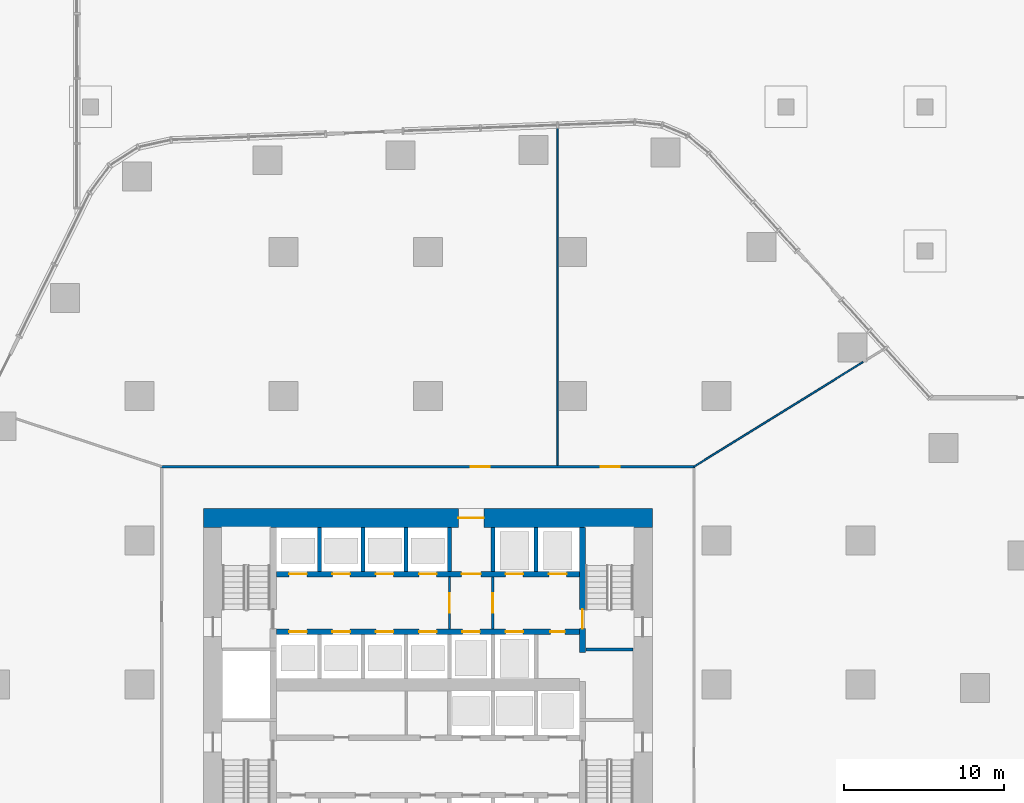
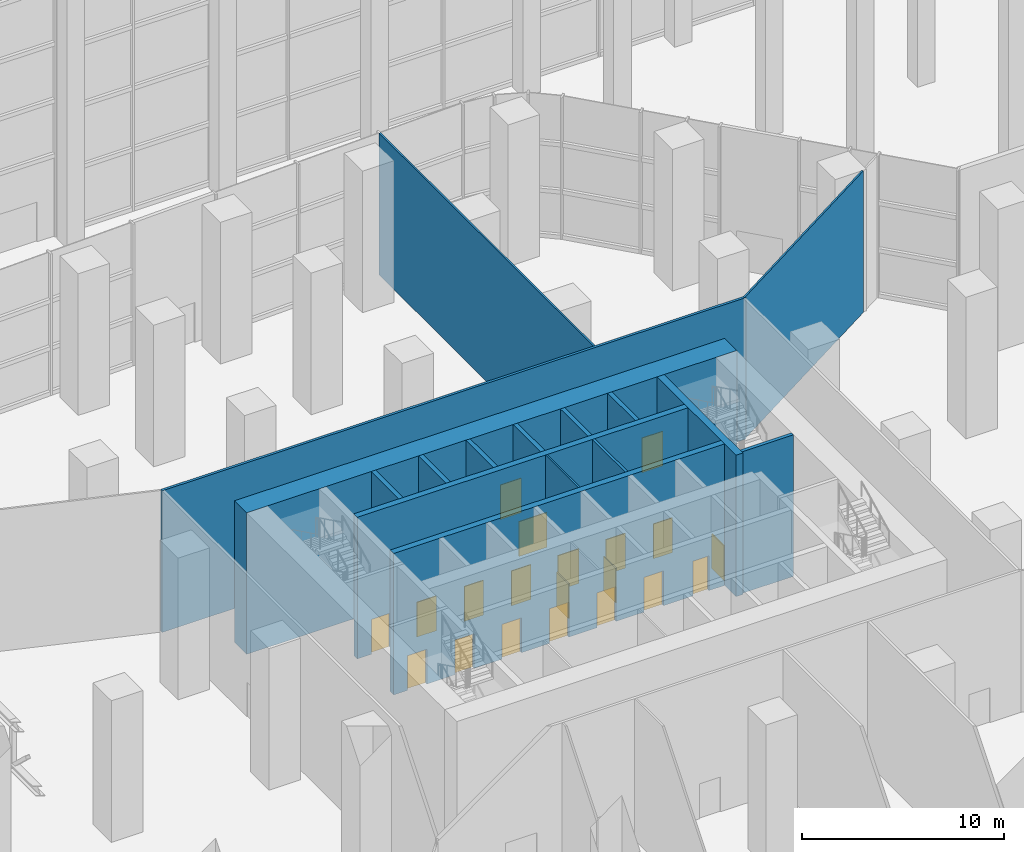
# One storey, part 33 of 40: 20 doors, 16 walls, 20 openings.
"""IFC4 building model written with IfcOpenShell, lengths in metres."""

from ifc_helpers import new_model, si_unit, direction, frame, frame_2d, origin, place, context, subcontext, project, spatial, rectangle, extrude, material, layer, layer_set, type_object, element, fill, save


model = new_model("IFC4")

# Units and contexts
model_context = context("Model", 3, precision=1e-05, world=origin(), true_north=direction((0.0, 1.0)))
body_context = subcontext(model_context, "Body", "Model", "MODEL_VIEW")
ifc_project = project(units=[si_unit("LENGTHUNIT", "METRE"), si_unit("AREAUNIT", "SQUARE_METRE"), si_unit("VOLUMEUNIT", "CUBIC_METRE"), si_unit("PLANEANGLEUNIT", "RADIAN"), si_unit("MASSUNIT", "GRAM", prefix="KILO")], contexts=[model_context])

# Site, building, storey
site_placement = place(None, origin())
site = spatial("IfcSite", under=ifc_project, at=site_placement, CompositionType="ELEMENT")
building_placement = place(site_placement, origin())
building = spatial("IfcBuilding", under=site, at=building_placement, Name="Dongbaek Canopy Tower", CompositionType="ELEMENT")
storey_placement = place(building_placement, origin())
storey = spatial("IfcBuildingStorey", under=building, at=storey_placement, Name="L00", CompositionType="ELEMENT", Elevation=0.0)

# Wall, openings, doors
ifc_material_1 = material(Name="Concrete C60/75", Category="concrete")
ifc_layer_1 = layer(ifc_material_1, 0.35009765625)
ifc_layer_set_1 = layer_set([ifc_layer_1], Name="Core lobby wall 350 Concrete C60/75")
wall_type_1 = type_object("IfcWallType", Name="Core lobby wall 350 Concrete C60/75", PredefinedType="SHEAR", material=ifc_layer_set_1)
wall_1_placement = place(storey_placement, frame((-9.449951171875, 6.89990234375, 0.0), z_axis=(0.0, 0.0, 1.0), x_axis=(1.0, 0.0, 0.0)))
wall_1 = element("IfcWall", 1, at=wall_1_placement, inside=storey, type_object=wall_type_1, Name="Core wall", PredefinedType="SHEAR", context=body_context, shape_type="SweptSolid", body=[
    extrude(rectangle(XDim=18.89990234375, YDim=0.35009765625, at=frame_2d((9.449951171875, 0.0))), origin(), (0.0, 0.0, 1.0), 8.550048828125),
])
opening_1_placement = place(wall_1_placement, frame((0.800048828125, 0.0, 0.0)))
opening_1 = element("IfcOpeningElement", 2, at=opening_1_placement, cuts=wall_1, Name="Opening L00-D011", PredefinedType="OPENING", context=body_context, shape_type="SweptSolid", body=[
    extrude(rectangle(XDim=1.10009765625, YDim=2.10009765625, at=frame_2d((0.550048828125, 1.050048828125))), frame((0.0, 0.18505859375, 0.0), z_axis=(0.0, -1.0, 0.0), x_axis=(1.0, 0.0, 0.0)), (0.0, 0.0, 1.0), 0.3701171875),
])
opening_2_placement = place(wall_1_placement, frame((3.5, 0.0, 0.0)))
opening_2 = element("IfcOpeningElement", 3, at=opening_2_placement, cuts=wall_1, Name="Opening L00-D012", PredefinedType="OPENING", context=body_context, shape_type="SweptSolid", body=[
    extrude(rectangle(XDim=1.10009765625, YDim=2.10009765625, at=frame_2d((0.550048828125, 1.050048828125))), frame((0.0, 0.18505859375, 0.0), z_axis=(0.0, -1.0, 0.0), x_axis=(1.0, 0.0, 0.0)), (0.0, 0.0, 1.0), 0.3701171875),
])
opening_3_placement = place(wall_1_placement, frame((6.199951171875, 0.0, 0.0)))
opening_3 = element("IfcOpeningElement", 4, at=opening_3_placement, cuts=wall_1, Name="Opening L00-D013", PredefinedType="OPENING", context=body_context, shape_type="SweptSolid", body=[
    extrude(rectangle(XDim=1.10009765625, YDim=2.10009765625, at=frame_2d((0.550048828125, 1.050048828125))), frame((0.0, 0.18505859375, 0.0), z_axis=(0.0, -1.0, 0.0), x_axis=(1.0, 0.0, 0.0)), (0.0, 0.0, 1.0), 0.3701171875),
])
opening_4_placement = place(wall_1_placement, frame((8.89990234375, 0.0, 0.0)))
opening_4 = element("IfcOpeningElement", 5, at=opening_4_placement, cuts=wall_1, Name="Opening L00-D014", PredefinedType="OPENING", context=body_context, shape_type="SweptSolid", body=[
    extrude(rectangle(XDim=1.10009765625, YDim=2.10009765625, at=frame_2d((0.550048828125, 1.050048828125))), frame((0.0, 0.18505859375, 0.0), z_axis=(0.0, -1.0, 0.0), x_axis=(1.0, 0.0, 0.0)), (0.0, 0.0, 1.0), 0.3701171875),
])
opening_5_placement = place(wall_1_placement, frame((11.550048828125, 0.0, 0.0)))
opening_5 = element("IfcOpeningElement", 6, at=opening_5_placement, cuts=wall_1, Name="Opening L00-D016", PredefinedType="OPENING", context=body_context, shape_type="SweptSolid", body=[
    extrude(rectangle(XDim=1.199951171875, YDim=2.10009765625, at=frame_2d((0.60009765625, 1.050048828125))), frame((0.0, 0.18505859375, 0.0), z_axis=(0.0, -1.0, 0.0), x_axis=(1.0, 0.0, 0.0)), (0.0, 0.0, 1.0), 0.3701171875),
])
opening_6_placement = place(wall_1_placement, frame((14.300048828125, 0.0, 0.0)))
opening_6 = element("IfcOpeningElement", 7, at=opening_6_placement, cuts=wall_1, Name="Opening L00-D017", PredefinedType="OPENING", context=body_context, shape_type="SweptSolid", body=[
    extrude(rectangle(XDim=1.10009765625, YDim=2.10009765625, at=frame_2d((0.550048828125, 1.050048828125))), frame((0.0, 0.18505859375, 0.0), z_axis=(0.0, -1.0, 0.0), x_axis=(1.0, 0.0, 0.0)), (0.0, 0.0, 1.0), 0.3701171875),
])
opening_7_placement = place(wall_1_placement, frame((17.0, 0.0, 0.0)))
opening_7 = element("IfcOpeningElement", 8, at=opening_7_placement, cuts=wall_1, Name="Opening L00-D018", PredefinedType="OPENING", context=body_context, shape_type="SweptSolid", body=[
    extrude(rectangle(XDim=1.10009765625, YDim=2.10009765625, at=frame_2d((0.550048828125, 1.050048828125))), frame((0.0, 0.18505859375, 0.0), z_axis=(0.0, -1.0, 0.0), x_axis=(1.0, 0.0, 0.0)), (0.0, 0.0, 1.0), 0.3701171875),
])
ifc_material_2 = material(Name="Steel", Category="steel")
door_type_1 = type_object("IfcDoorType", Name="Fire lobby door 1200 x 2100", OperationType="SINGLE_SWING_LEFT", PredefinedType="DOOR", material=ifc_material_2)
door_1_placement = place(opening_5_placement, origin())
door_1 = element("IfcDoor", 9, at=door_1_placement, inside=storey, type_object=door_type_1, Name="Door L00-D016", OperationType="SINGLE_SWING_LEFT", OverallHeight=2.10009765625, OverallWidth=1.199951171875, PredefinedType="DOOR", context=body_context, shape_type="SweptSolid", body=[
    extrude(rectangle(XDim=1.199951171875, YDim=2.10009765625, at=frame_2d((0.60009765625, 1.050048828125))), frame((0.0, 0.02490234375, 0.0), z_axis=(0.0, -1.0, 0.0), x_axis=(1.0, 0.0, 0.0)), (0.0, 0.0, 1.0), 0.050048828125),
])
fill(opening_5, door_1)
ifc_material_3 = material(Name="Stainless steel", Category="steel")
door_type_2 = type_object("IfcDoorType", Name="Lift landing door 1100 x 2100", OperationType="DOUBLE_DOOR_SLIDING", PredefinedType="DOOR", material=ifc_material_3)
door_2_placement = place(opening_1_placement, origin())
door_2 = element("IfcDoor", 10, at=door_2_placement, inside=storey, type_object=door_type_2, Name="Landing door LR1", OperationType="DOUBLE_DOOR_SLIDING", OverallHeight=2.10009765625, OverallWidth=1.10009765625, PredefinedType="DOOR", context=body_context, shape_type="SweptSolid", body=[
    extrude(rectangle(XDim=1.10009765625, YDim=2.10009765625, at=frame_2d((0.550048828125, 1.050048828125))), frame((0.0, 0.02490234375, 0.0), z_axis=(0.0, -1.0, 0.0), x_axis=(1.0, 0.0, 0.0)), (0.0, 0.0, 1.0), 0.050048828125),
])
fill(opening_1, door_2)
door_3_placement = place(opening_2_placement, origin())
door_3 = element("IfcDoor", 11, at=door_3_placement, inside=storey, type_object=door_type_2, Name="Landing door LR2", OperationType="DOUBLE_DOOR_SLIDING", OverallHeight=2.10009765625, OverallWidth=1.10009765625, PredefinedType="DOOR", context=body_context, shape_type="SweptSolid", body=[
    extrude(rectangle(XDim=1.10009765625, YDim=2.10009765625, at=frame_2d((0.550048828125, 1.050048828125))), frame((0.0, 0.02490234375, 0.0), z_axis=(0.0, -1.0, 0.0), x_axis=(1.0, 0.0, 0.0)), (0.0, 0.0, 1.0), 0.050048828125),
])
fill(opening_2, door_3)
door_4_placement = place(opening_3_placement, origin())
door_4 = element("IfcDoor", 12, at=door_4_placement, inside=storey, type_object=door_type_2, Name="Landing door LR3", OperationType="DOUBLE_DOOR_SLIDING", OverallHeight=2.10009765625, OverallWidth=1.10009765625, PredefinedType="DOOR", context=body_context, shape_type="SweptSolid", body=[
    extrude(rectangle(XDim=1.10009765625, YDim=2.10009765625, at=frame_2d((0.550048828125, 1.050048828125))), frame((0.0, 0.02490234375, 0.0), z_axis=(0.0, -1.0, 0.0), x_axis=(1.0, 0.0, 0.0)), (0.0, 0.0, 1.0), 0.050048828125),
])
fill(opening_3, door_4)
door_5_placement = place(opening_4_placement, origin())
door_5 = element("IfcDoor", 13, at=door_5_placement, inside=storey, type_object=door_type_2, Name="Landing door LR4", OperationType="DOUBLE_DOOR_SLIDING", OverallHeight=2.10009765625, OverallWidth=1.10009765625, PredefinedType="DOOR", context=body_context, shape_type="SweptSolid", body=[
    extrude(rectangle(XDim=1.10009765625, YDim=2.10009765625, at=frame_2d((0.550048828125, 1.050048828125))), frame((0.0, 0.02490234375, 0.0), z_axis=(0.0, -1.0, 0.0), x_axis=(1.0, 0.0, 0.0)), (0.0, 0.0, 1.0), 0.050048828125),
])
fill(opening_4, door_5)
door_6_placement = place(opening_6_placement, origin())
door_6 = element("IfcDoor", 14, at=door_6_placement, inside=storey, type_object=door_type_2, Name="Landing door FF1", OperationType="DOUBLE_DOOR_SLIDING", OverallHeight=2.10009765625, OverallWidth=1.10009765625, PredefinedType="DOOR", context=body_context, shape_type="SweptSolid", body=[
    extrude(rectangle(XDim=1.10009765625, YDim=2.10009765625, at=frame_2d((0.550048828125, 1.050048828125))), frame((0.0, 0.02490234375, 0.0), z_axis=(0.0, -1.0, 0.0), x_axis=(1.0, 0.0, 0.0)), (0.0, 0.0, 1.0), 0.050048828125),
])
fill(opening_6, door_6)
door_7_placement = place(opening_7_placement, origin())
door_7 = element("IfcDoor", 15, at=door_7_placement, inside=storey, type_object=door_type_2, Name="Landing door FF2", OperationType="DOUBLE_DOOR_SLIDING", OverallHeight=2.10009765625, OverallWidth=1.10009765625, PredefinedType="DOOR", context=body_context, shape_type="SweptSolid", body=[
    extrude(rectangle(XDim=1.10009765625, YDim=2.10009765625, at=frame_2d((0.550048828125, 1.050048828125))), frame((0.0, 0.02490234375, 0.0), z_axis=(0.0, -1.0, 0.0), x_axis=(1.0, 0.0, 0.0)), (0.0, 0.0, 1.0), 0.050048828125),
])
fill(opening_7, door_7)

wall_2_placement = place(storey_placement, frame((9.449951171875, 3.300048828125, 0.0), z_axis=(0.0, 0.0, 1.0), x_axis=(-1.0, 0.0, 0.0)))
wall_2 = element("IfcWall", 16, at=wall_2_placement, inside=storey, type_object=wall_type_1, Name="Core wall", PredefinedType="SHEAR", context=body_context, shape_type="SweptSolid", body=[
    extrude(rectangle(XDim=18.89990234375, YDim=0.35009765625, at=frame_2d((9.449951171875, 0.0))), origin(), (0.0, 0.0, 1.0), 8.550048828125),
])
opening_8_placement = place(wall_2_placement, frame((0.89990234375, 0.0, 0.0)))
opening_8 = element("IfcOpeningElement", 17, at=opening_8_placement, cuts=wall_2, Name="Opening L00-D010", PredefinedType="OPENING", context=body_context, shape_type="SweptSolid", body=[
    extrude(rectangle(XDim=0.89990234375, YDim=2.10009765625, at=frame_2d((0.449951171875, 1.050048828125))), frame((0.0, 0.18505859375, 0.0), z_axis=(0.0, -1.0, 0.0), x_axis=(1.0, 0.0, 0.0)), (0.0, 0.0, 1.0), 0.3701171875),
])
opening_9_placement = place(wall_2_placement, frame((17.0, 0.0, 0.0)))
opening_9 = element("IfcOpeningElement", 18, at=opening_9_placement, cuts=wall_2, Name="Opening L00-D019", PredefinedType="OPENING", context=body_context, shape_type="SweptSolid", body=[
    extrude(rectangle(XDim=1.10009765625, YDim=2.10009765625, at=frame_2d((0.550048828125, 1.050048828125))), frame((0.0, 0.18505859375, 0.0), z_axis=(0.0, -1.0, 0.0), x_axis=(1.0, 0.0, 0.0)), (0.0, 0.0, 1.0), 0.3701171875),
])
opening_10_placement = place(wall_2_placement, frame((14.300048828125, 0.0, 0.0)))
opening_10 = element("IfcOpeningElement", 19, at=opening_10_placement, cuts=wall_2, Name="Opening L00-D020", PredefinedType="OPENING", context=body_context, shape_type="SweptSolid", body=[
    extrude(rectangle(XDim=1.10009765625, YDim=2.10009765625, at=frame_2d((0.550048828125, 1.050048828125))), frame((0.0, 0.18505859375, 0.0), z_axis=(0.0, -1.0, 0.0), x_axis=(1.0, 0.0, 0.0)), (0.0, 0.0, 1.0), 0.3701171875),
])
opening_11_placement = place(wall_2_placement, frame((11.60009765625, 0.0, 0.0)))
opening_11 = element("IfcOpeningElement", 20, at=opening_11_placement, cuts=wall_2, Name="Opening L00-D021", PredefinedType="OPENING", context=body_context, shape_type="SweptSolid", body=[
    extrude(rectangle(XDim=1.10009765625, YDim=2.10009765625, at=frame_2d((0.550048828125, 1.050048828125))), frame((0.0, 0.18505859375, 0.0), z_axis=(0.0, -1.0, 0.0), x_axis=(1.0, 0.0, 0.0)), (0.0, 0.0, 1.0), 0.3701171875),
])
opening_12_placement = place(wall_2_placement, frame((8.89990234375, 0.0, 0.0)))
opening_12 = element("IfcOpeningElement", 21, at=opening_12_placement, cuts=wall_2, Name="Opening L00-D022", PredefinedType="OPENING", context=body_context, shape_type="SweptSolid", body=[
    extrude(rectangle(XDim=1.10009765625, YDim=2.10009765625, at=frame_2d((0.550048828125, 1.050048828125))), frame((0.0, 0.18505859375, 0.0), z_axis=(0.0, -1.0, 0.0), x_axis=(1.0, 0.0, 0.0)), (0.0, 0.0, 1.0), 0.3701171875),
])
opening_13_placement = place(wall_2_placement, frame((6.199951171875, 0.0, 0.0)))
opening_13 = element("IfcOpeningElement", 22, at=opening_13_placement, cuts=wall_2, Name="Opening L00-D023", PredefinedType="OPENING", context=body_context, shape_type="SweptSolid", body=[
    extrude(rectangle(XDim=1.10009765625, YDim=2.10009765625, at=frame_2d((0.550048828125, 1.050048828125))), frame((0.0, 0.18505859375, 0.0), z_axis=(0.0, -1.0, 0.0), x_axis=(1.0, 0.0, 0.0)), (0.0, 0.0, 1.0), 0.3701171875),
])
opening_14_placement = place(wall_2_placement, frame((3.5, 0.0, 0.0)))
opening_14 = element("IfcOpeningElement", 23, at=opening_14_placement, cuts=wall_2, Name="Opening L00-D024", PredefinedType="OPENING", context=body_context, shape_type="SweptSolid", body=[
    extrude(rectangle(XDim=1.10009765625, YDim=2.10009765625, at=frame_2d((0.550048828125, 1.050048828125))), frame((0.0, 0.18505859375, 0.0), z_axis=(0.0, -1.0, 0.0), x_axis=(1.0, 0.0, 0.0)), (0.0, 0.0, 1.0), 0.3701171875),
])
ifc_material_4 = material(Name="Steel", Category="steel")
door_type_3 = type_object("IfcDoorType", Name="Core room door 900 x 2100", OperationType="SINGLE_SWING_LEFT", PredefinedType="DOOR", material=ifc_material_4)
door_8_placement = place(opening_8_placement, origin())
door_8 = element("IfcDoor", 24, at=door_8_placement, inside=storey, type_object=door_type_3, Name="Door L00-D010", OperationType="SINGLE_SWING_LEFT", OverallHeight=2.10009765625, OverallWidth=0.89990234375, PredefinedType="DOOR", context=body_context, shape_type="SweptSolid", body=[
    extrude(rectangle(XDim=0.89990234375, YDim=2.10009765625, at=frame_2d((0.449951171875, 1.050048828125))), frame((0.0, 0.02490234375, 0.0), z_axis=(0.0, -1.0, 0.0), x_axis=(1.0, 0.0, 0.0)), (0.0, 0.0, 1.0), 0.050048828125),
])
fill(opening_8, door_8)
door_9_placement = place(opening_9_placement, origin())
door_9 = element("IfcDoor", 25, at=door_9_placement, inside=storey, type_object=door_type_2, Name="Landing door LR5", OperationType="DOUBLE_DOOR_SLIDING", OverallHeight=2.10009765625, OverallWidth=1.10009765625, PredefinedType="DOOR", context=body_context, shape_type="SweptSolid", body=[
    extrude(rectangle(XDim=1.10009765625, YDim=2.10009765625, at=frame_2d((0.550048828125, 1.050048828125))), frame((0.0, 0.02490234375, 0.0), z_axis=(0.0, -1.0, 0.0), x_axis=(1.0, 0.0, 0.0)), (0.0, 0.0, 1.0), 0.050048828125),
])
fill(opening_9, door_9)
door_10_placement = place(opening_10_placement, origin())
door_10 = element("IfcDoor", 26, at=door_10_placement, inside=storey, type_object=door_type_2, Name="Landing door LR6", OperationType="DOUBLE_DOOR_SLIDING", OverallHeight=2.10009765625, OverallWidth=1.10009765625, PredefinedType="DOOR", context=body_context, shape_type="SweptSolid", body=[
    extrude(rectangle(XDim=1.10009765625, YDim=2.10009765625, at=frame_2d((0.550048828125, 1.050048828125))), frame((0.0, 0.02490234375, 0.0), z_axis=(0.0, -1.0, 0.0), x_axis=(1.0, 0.0, 0.0)), (0.0, 0.0, 1.0), 0.050048828125),
])
fill(opening_10, door_10)
door_11_placement = place(opening_11_placement, origin())
door_11 = element("IfcDoor", 27, at=door_11_placement, inside=storey, type_object=door_type_2, Name="Landing door LR7", OperationType="DOUBLE_DOOR_SLIDING", OverallHeight=2.10009765625, OverallWidth=1.10009765625, PredefinedType="DOOR", context=body_context, shape_type="SweptSolid", body=[
    extrude(rectangle(XDim=1.10009765625, YDim=2.10009765625, at=frame_2d((0.550048828125, 1.050048828125))), frame((0.0, 0.02490234375, 0.0), z_axis=(0.0, -1.0, 0.0), x_axis=(1.0, 0.0, 0.0)), (0.0, 0.0, 1.0), 0.050048828125),
])
fill(opening_11, door_11)
door_12_placement = place(opening_12_placement, origin())
door_12 = element("IfcDoor", 28, at=door_12_placement, inside=storey, type_object=door_type_2, Name="Landing door LR8", OperationType="DOUBLE_DOOR_SLIDING", OverallHeight=2.10009765625, OverallWidth=1.10009765625, PredefinedType="DOOR", context=body_context, shape_type="SweptSolid", body=[
    extrude(rectangle(XDim=1.10009765625, YDim=2.10009765625, at=frame_2d((0.550048828125, 1.050048828125))), frame((0.0, 0.02490234375, 0.0), z_axis=(0.0, -1.0, 0.0), x_axis=(1.0, 0.0, 0.0)), (0.0, 0.0, 1.0), 0.050048828125),
])
fill(opening_12, door_12)
door_13_placement = place(opening_13_placement, origin())
door_13 = element("IfcDoor", 29, at=door_13_placement, inside=storey, type_object=door_type_2, Name="Landing door SV1", OperationType="DOUBLE_DOOR_SLIDING", OverallHeight=2.10009765625, OverallWidth=1.10009765625, PredefinedType="DOOR", context=body_context, shape_type="SweptSolid", body=[
    extrude(rectangle(XDim=1.10009765625, YDim=2.10009765625, at=frame_2d((0.550048828125, 1.050048828125))), frame((0.0, 0.02490234375, 0.0), z_axis=(0.0, -1.0, 0.0), x_axis=(1.0, 0.0, 0.0)), (0.0, 0.0, 1.0), 0.050048828125),
])
fill(opening_13, door_13)
door_14_placement = place(opening_14_placement, origin())
door_14 = element("IfcDoor", 30, at=door_14_placement, inside=storey, type_object=door_type_2, Name="Landing door FF3", OperationType="DOUBLE_DOOR_SLIDING", OverallHeight=2.10009765625, OverallWidth=1.10009765625, PredefinedType="DOOR", context=body_context, shape_type="SweptSolid", body=[
    extrude(rectangle(XDim=1.10009765625, YDim=2.10009765625, at=frame_2d((0.550048828125, 1.050048828125))), frame((0.0, 0.02490234375, 0.0), z_axis=(0.0, -1.0, 0.0), x_axis=(1.0, 0.0, 0.0)), (0.0, 0.0, 1.0), 0.050048828125),
])
fill(opening_14, door_14)

# Wall, opening, door
ifc_material_5 = material(Name="Concrete C60/75", Category="concrete")
ifc_layer_2 = layer(ifc_material_5, 1.199951171875)
ifc_layer_set_2 = layer_set([ifc_layer_2], Name="Core outer wall 1200 Concrete C60/75")
wall_type_2 = type_object("IfcWallType", Name="Core outer wall 1200 Concrete C60/75", PredefinedType="SHEAR", material=ifc_layer_set_2)
wall_3_placement = place(storey_placement, frame((-14.0, 10.39990234375, 0.0), z_axis=(0.0, 0.0, 1.0), x_axis=(1.0, 0.0, 0.0)))
wall_3 = element("IfcWall", 31, at=wall_3_placement, inside=storey, type_object=wall_type_2, Name="Core wall", PredefinedType="SHEAR", context=body_context, shape_type="SweptSolid", body=[
    extrude(rectangle(XDim=28.0, YDim=1.199951171875, at=frame_2d((14.0, 0.0))), origin(), (0.0, 0.0, 1.0), 8.550048828125),
])
opening_15_placement = place(wall_3_placement, frame((15.89990234375, 0.0, 0.0)))
opening_15 = element("IfcOpeningElement", 32, at=opening_15_placement, cuts=wall_3, Name="Opening L00-D015", PredefinedType="OPENING", context=body_context, shape_type="SweptSolid", body=[
    extrude(rectangle(XDim=1.60009765625, YDim=2.10009765625, at=frame_2d((0.800048828125, 1.050048828125))), frame((0.0, 0.60986328125, 0.0), z_axis=(0.0, -1.0, 0.0), x_axis=(1.0, 0.0, 0.0)), (0.0, 0.0, 1.0), 1.219970703125),
])
ifc_material_6 = material(Name="Steel", Category="steel")
door_type_4 = type_object("IfcDoorType", Name="Core exit door 1600 x 2100", OperationType="DOUBLE_DOOR_SINGLE_SWING", PredefinedType="DOOR", material=ifc_material_6)
door_15_placement = place(opening_15_placement, origin())
door_15 = element("IfcDoor", 33, at=door_15_placement, inside=storey, type_object=door_type_4, Name="Core exit door", OperationType="DOUBLE_DOOR_SINGLE_SWING", OverallHeight=2.10009765625, OverallWidth=1.60009765625, PredefinedType="DOOR", context=body_context, shape_type="SweptSolid", body=[
    extrude(rectangle(XDim=1.60009765625, YDim=2.10009765625, at=frame_2d((0.800048828125, 1.050048828125))), frame((0.0, 0.02490234375, 0.0), z_axis=(0.0, -1.0, 0.0), x_axis=(1.0, 0.0, 0.0)), (0.0, 0.0, 1.0), 0.050048828125),
])
fill(opening_15, door_15)

# Wall, openings, doors
ifc_material_7 = material(Name="Gypsum board partition, steel stud, 2 x 15 mm fire board", Category="steel")
ifc_layer_3 = layer(ifc_material_7, 0.14990234375)
ifc_layer_set_3 = layer_set([ifc_layer_3], Name="Fire-rated partition 150 gypsum board")
wall_type_3 = type_object("IfcWallType", Name="Fire-rated partition 150 gypsum board", PredefinedType="PARTITIONING", material=ifc_layer_set_3)
wall_4_placement = place(storey_placement, frame((-16.675048828125, 13.60009765625, 0.0), z_axis=(0.0, 0.0, 1.0), x_axis=(1.0, 0.0, 0.0)))
wall_4 = element("IfcWall", 34, at=wall_4_placement, inside=storey, type_object=wall_type_3, Name="Corridor partition", PredefinedType="PARTITIONING", context=body_context, shape_type="SweptSolid", body=[
    extrude(rectangle(XDim=33.35009765625, YDim=0.14990234375, at=frame_2d((16.675048828125, 0.0))), origin(), (0.0, 0.0, 1.0), 8.550048828125),
])
opening_16_placement = place(wall_4_placement, frame((27.447021484375, 0.0, 0.0)))
opening_16 = element("IfcOpeningElement", 35, at=opening_16_placement, cuts=wall_4, Name="Opening L00-D007", PredefinedType="OPENING", context=body_context, shape_type="SweptSolid", body=[
    extrude(rectangle(XDim=1.199951171875, YDim=2.10009765625, at=frame_2d((0.60009765625, 1.050048828125))), frame((0.0, 0.0849609375, 0.0), z_axis=(0.0, -1.0, 0.0), x_axis=(1.0, 0.0, 0.0)), (0.0, 0.0, 1.0), 0.169921875),
])
opening_17_placement = place(wall_4_placement, frame((19.345947265625, 0.0, 0.0)))
opening_17 = element("IfcOpeningElement", 36, at=opening_17_placement, cuts=wall_4, Name="Opening L00-D008", PredefinedType="OPENING", context=body_context, shape_type="SweptSolid", body=[
    extrude(rectangle(XDim=1.199951171875, YDim=2.10009765625, at=frame_2d((0.60009765625, 1.050048828125))), frame((0.0, 0.0849609375, 0.0), z_axis=(0.0, -1.0, 0.0), x_axis=(1.0, 0.0, 0.0)), (0.0, 0.0, 1.0), 0.169921875),
])
ifc_material_8 = material(Name="Timber veneered door leaf", Category="wood")
door_type_5 = type_object("IfcDoorType", Name="Room door 1200 x 2100", OperationType="SINGLE_SWING_LEFT", PredefinedType="DOOR", material=ifc_material_8)
door_16_placement = place(opening_16_placement, origin())
door_16 = element("IfcDoor", 37, at=door_16_placement, inside=storey, type_object=door_type_5, Name="Door L00-D007", OperationType="SINGLE_SWING_RIGHT", OverallHeight=2.10009765625, OverallWidth=1.199951171875, PredefinedType="DOOR", context=body_context, shape_type="SweptSolid", body=[
    extrude(rectangle(XDim=1.199951171875, YDim=2.10009765625, at=frame_2d((0.60009765625, 1.050048828125))), frame((0.0, 0.02490234375, 0.0), z_axis=(0.0, -1.0, 0.0), x_axis=(1.0, 0.0, 0.0)), (0.0, 0.0, 1.0), 0.050048828125),
])
fill(opening_16, door_16)
door_17_placement = place(opening_17_placement, origin())
door_17 = element("IfcDoor", 38, at=door_17_placement, inside=storey, type_object=door_type_5, Name="Door L00-D008", OperationType="SINGLE_SWING_LEFT", OverallHeight=2.10009765625, OverallWidth=1.199951171875, PredefinedType="DOOR", context=body_context, shape_type="SweptSolid", body=[
    extrude(rectangle(XDim=1.199951171875, YDim=2.10009765625, at=frame_2d((0.60009765625, 1.050048828125))), frame((0.0, 0.02490234375, 0.0), z_axis=(0.0, -1.0, 0.0), x_axis=(1.0, 0.0, 0.0)), (0.0, 0.0, 1.0), 0.050048828125),
])
fill(opening_17, door_17)

# Wall, opening, door
wall_5_placement = place(storey_placement, frame((4.050048828125, 6.72509765625, 0.0), z_axis=(0.0, 0.0, 1.0), x_axis=(0.0, -1.0, 0.0)))
wall_5 = element("IfcWall", 39, at=wall_5_placement, inside=storey, type_object=wall_type_3, Name="Fire lobby partition", PredefinedType="PARTITIONING", context=body_context, shape_type="SweptSolid", body=[
    extrude(rectangle(XDim=3.25, YDim=0.14990234375, at=frame_2d((1.625, 0.0))), origin(), (0.0, 0.0, 1.0), 8.550048828125),
])
opening_18_placement = place(wall_5_placement, frame((1.02490234375, 0.0, 0.0)))
opening_18 = element("IfcOpeningElement", 40, at=opening_18_placement, cuts=wall_5, Name="Opening L00-D042", PredefinedType="OPENING", context=body_context, shape_type="SweptSolid", body=[
    extrude(rectangle(XDim=1.199951171875, YDim=2.10009765625, at=frame_2d((0.60009765625, 1.050048828125))), frame((0.0, 0.0849609375, 0.0), z_axis=(0.0, -1.0, 0.0), x_axis=(1.0, 0.0, 0.0)), (0.0, 0.0, 1.0), 0.169921875),
])
door_18_placement = place(opening_18_placement, origin())
door_18 = element("IfcDoor", 41, at=door_18_placement, inside=storey, type_object=door_type_1, Name="Door L00-D042", OperationType="SINGLE_SWING_RIGHT", OverallHeight=2.10009765625, OverallWidth=1.199951171875, PredefinedType="DOOR", context=body_context, shape_type="SweptSolid", body=[
    extrude(rectangle(XDim=1.199951171875, YDim=2.10009765625, at=frame_2d((0.60009765625, 1.050048828125))), frame((0.0, 0.02490234375, 0.0), z_axis=(0.0, -1.0, 0.0), x_axis=(1.0, 0.0, 0.0)), (0.0, 0.0, 1.0), 0.050048828125),
])
fill(opening_18, door_18)

# Walls
ifc_material_9 = material(Name="Concrete C40/50", Category="concrete")
ifc_layer_4 = layer(ifc_material_9, 0.25)
ifc_layer_set_4 = layer_set([ifc_layer_4], Name="Lift shaft wall 250 Concrete C40/50")
wall_type_4 = type_object("IfcWallType", Name="Lift shaft wall 250 Concrete C40/50", PredefinedType="SOLIDWALL", material=ifc_layer_set_4)
for number, where, z_axis, x_axis, name in (
    (42, (6.75, 7.074951171875, 0.0), (0.0, 0.0, 1.0), (0.0, 1.0, 0.0), "Lift shaft wall"),
    (43, (4.050048828125, 7.074951171875, 0.0), (0.0, 0.0, 1.0), (0.0, 1.0, 0.0), "Lift shaft wall"),
    (44, (1.35009765625, 7.074951171875, 0.0), (0.0, 0.0, 1.0), (0.0, 1.0, 0.0), "Lift shaft wall"),
    (45, (-1.35009765625, 7.074951171875, 0.0), (0.0, 0.0, 1.0), (0.0, 1.0, 0.0), "Lift shaft wall"),
    (46, (-4.050048828125, 7.074951171875, 0.0), (0.0, 0.0, 1.0), (0.0, 1.0, 0.0), "Lift shaft wall"),
    (47, (-6.75, 7.074951171875, 0.0), (0.0, 0.0, 1.0), (0.0, 1.0, 0.0), "Lift shaft wall"),
):
    element("IfcWall", number, at=place(storey_placement, frame(where, z_axis=z_axis, x_axis=x_axis)), inside=storey, type_object=wall_type_4, Name=name, PredefinedType="SOLIDWALL", context=body_context, shape_type="SweptSolid", body=[
        extrude(rectangle(XDim=2.72509765625, YDim=0.25, at=frame_2d((1.362548828125, 0.0))), origin(), (0.0, 0.0, 1.0), 8.550048828125),
    ])
ifc_material_10 = material(Name="Gypsum board partition, steel stud, 2 x 12.5 mm board", Category="steel")
ifc_layer_5 = layer(ifc_material_10, 0.10009765625)
ifc_layer_set_5 = layer_set([ifc_layer_5], Name="Partition 100 gypsum board")
wall_type_5 = type_object("IfcWallType", Name="Partition 100 gypsum board", PredefinedType="PARTITIONING", material=ifc_layer_set_5)
wall_6_placement = place(storey_placement, frame((16.60009765625, 13.60009765625, 0.0), z_axis=(0.0, 0.0, 1.0), x_axis=(0.850261790898, 0.526360035469, 0.0)))
element("IfcWall", 48, at=wall_6_placement, inside=storey, type_object=wall_type_5, Name="Partition", PredefinedType="PARTITIONING", context=body_context, shape_type="SweptSolid", body=[
    extrude(rectangle(XDim=12.40380859375, YDim=0.10009765625, at=frame_2d((6.201904296875, 0.0))), origin(), (0.0, 0.0, 1.0), 8.550048828125),
])
wall_7_placement = place(storey_placement, frame((8.094970703125, 13.675048828125, 0.0), z_axis=(0.0, 0.0, 1.0), x_axis=(0.0, 1.0, 0.0)))
element("IfcWall", 49, at=wall_7_placement, inside=storey, type_object=wall_type_5, Name="Partition", PredefinedType="PARTITIONING", context=body_context, shape_type="SweptSolid", body=[
    extrude(rectangle(XDim=21.212646484375, YDim=0.10009765625, at=frame_2d((10.6064453125, 0.0))), origin(), (0.0, 0.0, 1.0), 8.550048828125),
])

# Wall, opening, door
wall_8_placement = place(storey_placement, frame((1.35009765625, 6.72509765625, 0.0), z_axis=(0.0, 0.0, 1.0), x_axis=(0.0, -1.0, 0.0)))
wall_8 = element("IfcWall", 50, at=wall_8_placement, inside=storey, type_object=wall_type_5, Name="Core partition", PredefinedType="PARTITIONING", context=body_context, shape_type="SweptSolid", body=[
    extrude(rectangle(XDim=3.25, YDim=0.10009765625, at=frame_2d((1.625, 0.0))), origin(), (0.0, 0.0, 1.0), 8.550048828125),
])
opening_19_placement = place(wall_8_placement, frame((1.02490234375, 0.0, 0.0)))
opening_19 = element("IfcOpeningElement", 51, at=opening_19_placement, cuts=wall_8, Name="Opening L00-D041", PredefinedType="OPENING", context=body_context, shape_type="SweptSolid", body=[
    extrude(rectangle(XDim=1.199951171875, YDim=2.10009765625, at=frame_2d((0.60009765625, 1.050048828125))), frame((0.0, 0.06005859375, 0.0), z_axis=(0.0, -1.0, 0.0), x_axis=(1.0, 0.0, 0.0)), (0.0, 0.0, 1.0), 0.1201171875),
])
door_19_placement = place(opening_19_placement, origin())
door_19 = element("IfcDoor", 52, at=door_19_placement, inside=storey, type_object=door_type_1, Name="Door L00-D041", OperationType="SINGLE_SWING_LEFT", OverallHeight=2.10009765625, OverallWidth=1.199951171875, PredefinedType="DOOR", context=body_context, shape_type="SweptSolid", body=[
    extrude(rectangle(XDim=1.199951171875, YDim=2.10009765625, at=frame_2d((0.60009765625, 1.050048828125))), frame((0.0, 0.02490234375, 0.0), z_axis=(0.0, -1.0, 0.0), x_axis=(1.0, 0.0, 0.0)), (0.0, 0.0, 1.0), 0.050048828125),
])
fill(opening_19, door_19)

# Wall
ifc_material_11 = material(Name="Concrete C60/75", Category="concrete")
ifc_layer_6 = layer(ifc_material_11, 0.199951171875)
ifc_layer_set_6 = layer_set([ifc_layer_6], Name="Riser wall 200 Concrete C60/75")
wall_type_6 = type_object("IfcWallType", Name="Riser wall 200 Concrete C60/75", PredefinedType="SHEAR", material=ifc_layer_set_6)
wall_9_placement = place(storey_placement, frame((9.85009765625, 2.199951171875, 0.0), z_axis=(0.0, 0.0, 1.0), x_axis=(1.0, 0.0, 0.0)))
element("IfcWall", 53, at=wall_9_placement, inside=storey, type_object=wall_type_6, Name="Riser wall", PredefinedType="SHEAR", context=body_context, shape_type="SweptSolid", body=[
    extrude(rectangle(XDim=2.949951171875, YDim=0.199951171875, at=frame_2d((1.47509765625, 0.0))), origin(), (0.0, 0.0, 1.0), 8.550048828125),
])

# Wall, opening, door
ifc_material_12 = material(Name="Concrete C60/75", Category="concrete")
ifc_layer_7 = layer(ifc_material_12, 0.39990234375)
ifc_layer_set_7 = layer_set([ifc_layer_7], Name="Stair wall 400 Concrete C60/75")
wall_type_7 = type_object("IfcWallType", Name="Stair wall 400 Concrete C60/75", PredefinedType="SHEAR", material=ifc_layer_set_7)
wall_10_placement = place(storey_placement, frame((9.64990234375, 9.800048828125, 0.0), z_axis=(0.0, 0.0, 1.0), x_axis=(0.0, -1.0, 0.0)))
wall_10 = element("IfcWall", 54, at=wall_10_placement, inside=storey, type_object=wall_type_7, Name="Stair wall", PredefinedType="SHEAR", context=body_context, shape_type="SweptSolid", body=[
    extrude(rectangle(XDim=7.800048828125, YDim=0.39990234375, at=frame_2d((3.89990234375, 0.0))), origin(), (0.0, 0.0, 1.0), 8.550048828125),
])
opening_20_placement = place(wall_10_placement, frame((5.10009765625, 0.0, 0.0)))
opening_20 = element("IfcOpeningElement", 55, at=opening_20_placement, cuts=wall_10, Name="Opening L00-D037", PredefinedType="OPENING", context=body_context, shape_type="SweptSolid", body=[
    extrude(rectangle(XDim=1.199951171875, YDim=2.10009765625, at=frame_2d((0.60009765625, 1.050048828125))), frame((0.0, 0.2099609375, 0.0), z_axis=(0.0, -1.0, 0.0), x_axis=(1.0, 0.0, 0.0)), (0.0, 0.0, 1.0), 0.419921875),
])
ifc_material_13 = material(Name="Steel", Category="steel")
door_type_6 = type_object("IfcDoorType", Name="Stair door 1200 x 2100", OperationType="SINGLE_SWING_LEFT", PredefinedType="DOOR", material=ifc_material_13)
door_20_placement = place(opening_20_placement, origin())
door_20 = element("IfcDoor", 56, at=door_20_placement, inside=storey, type_object=door_type_6, Name="Stair A door", OperationType="SINGLE_SWING_LEFT", OverallHeight=2.10009765625, OverallWidth=1.199951171875, PredefinedType="DOOR", context=body_context, shape_type="SweptSolid", body=[
    extrude(rectangle(XDim=1.199951171875, YDim=2.10009765625, at=frame_2d((0.60009765625, 1.050048828125))), frame((0.0, 0.02490234375, 0.0), z_axis=(0.0, -1.0, 0.0), x_axis=(1.0, 0.0, 0.0)), (0.0, 0.0, 1.0), 0.050048828125),
])
fill(opening_20, door_20)

save(model, "model.ifc")
